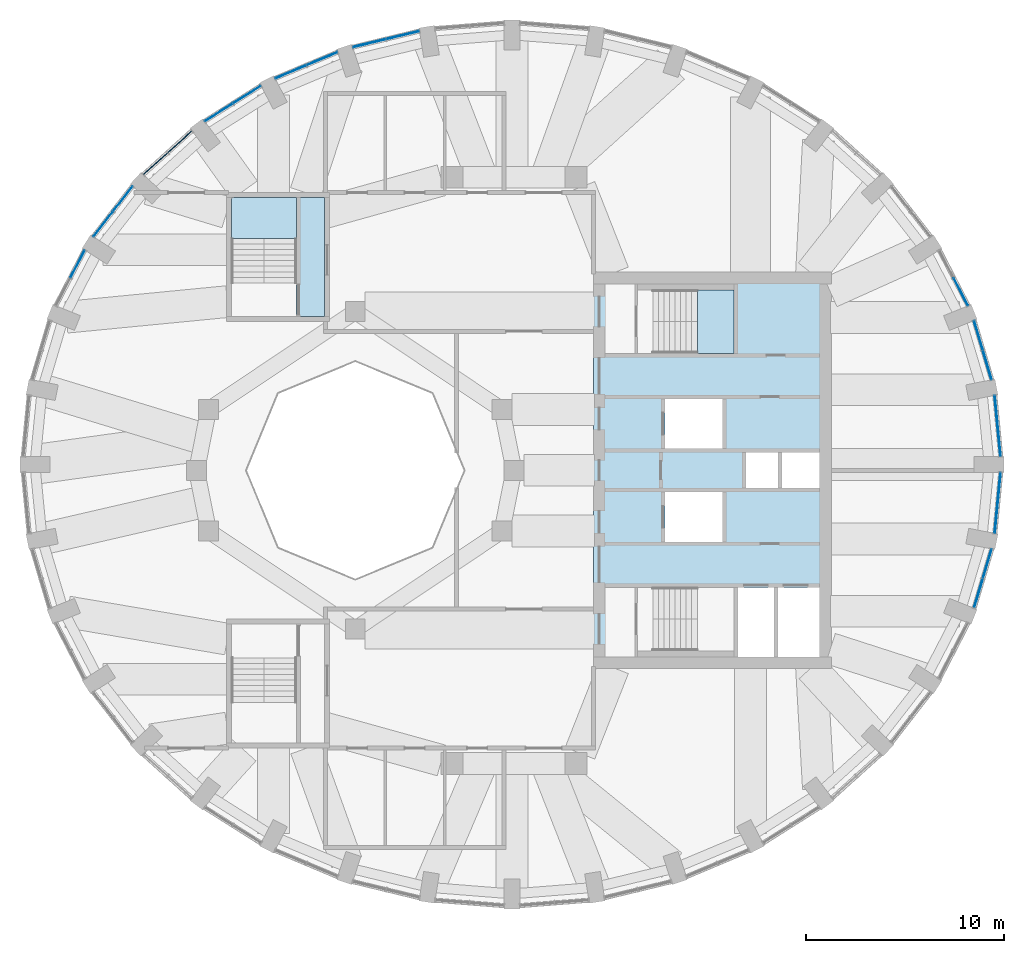
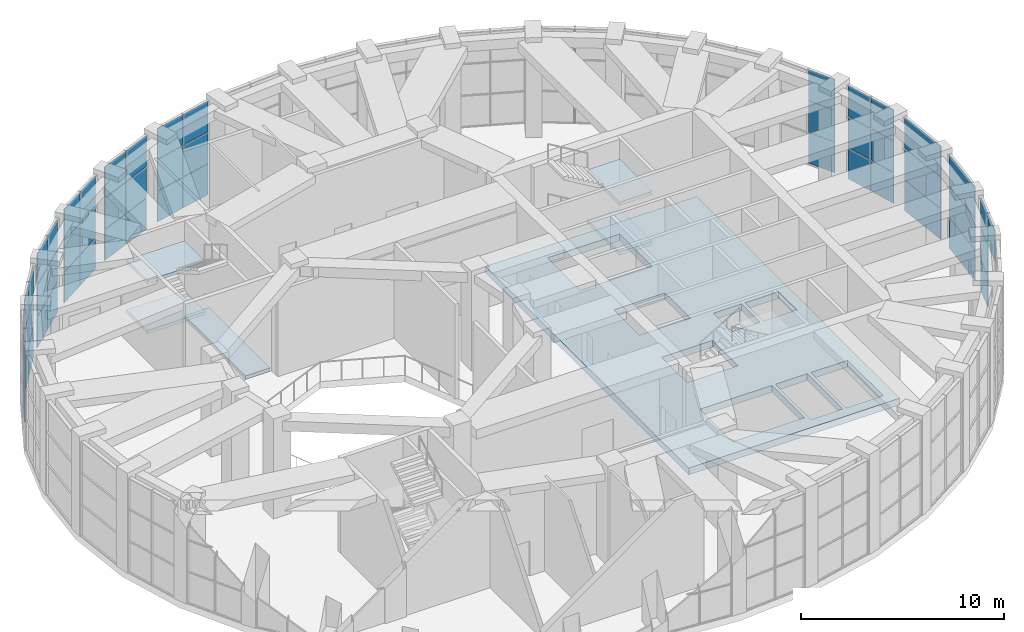
# One storey, part 14 of 20: 52 plates, 6 slabs, 13 elements without a shape of their own.
"""IFC4 building model written with IfcOpenShell, lengths in metres."""

from ifc_helpers import new_model, si_unit, direction, frame, origin, origin_2d, place, context, subcontext, project, spatial, polyline, rectangle, outline, extrude, material, layer, layer_set, type_object, element, aggregate, save


model = new_model("IFC4")

# Units and contexts
model_context = context("Model", 3, precision=1e-05, world=origin(), true_north=direction((0.0, 1.0)))
body_context = subcontext(model_context, "Body", "Model", "MODEL_VIEW")
ifc_project = project(units=[si_unit("LENGTHUNIT", "METRE"), si_unit("AREAUNIT", "SQUARE_METRE"), si_unit("VOLUMEUNIT", "CUBIC_METRE"), si_unit("PLANEANGLEUNIT", "RADIAN"), si_unit("MASSUNIT", "GRAM", prefix="KILO")], contexts=[model_context])

# Site, building, storey
site_placement = place(None, origin())
site = spatial("IfcSite", under=ifc_project, at=site_placement, CompositionType="ELEMENT")
building_placement = place(site_placement, origin())
building = spatial("IfcBuilding", under=site, at=building_placement, Name="Taillehof Tower", CompositionType="ELEMENT")
storey_placement = place(building_placement, frame((0.0, 0.0, 269.199951171875)))
storey = spatial("IfcBuildingStorey", under=building, at=storey_placement, Name="L76", CompositionType="ELEMENT", Elevation=269.199951171875)

# Slab
ifc_material_1 = material(Name="Concrete C40/50", Category="concrete")
ifc_layer_1 = layer(ifc_material_1, 0.409912109375)
ifc_layer_set_1 = layer_set([ifc_layer_1], Name="Core floor slab C40/50 410")
slab_type_1 = type_object("IfcSlabType", Name="Core floor slab C40/50 410", PredefinedType="FLOOR", material=ifc_layer_set_1)
slab_1_placement = place(storey_placement, frame((0.0, 0.0, -0.409912109375)))
element("IfcSlab", 1, at=slab_1_placement, inside=storey, type_object=slab_type_1, Name="Core floor L76", PredefinedType="FLOOR", context=body_context, shape_type="SweptSolid", body=[
    extrude(outline(polyline([(4.0, -10.0), (4.0, 10.0), (16.0, 10.0), (16.0, -10.0), (4.0, -10.0)]), holes=[polyline([(13.10009765625, -5.89990234375), (11.300048828125, -5.89990234375), (11.300048828125, -9.39990234375), (13.10009765625, -9.39990234375), (13.10009765625, -5.89990234375)]), polyline([(15.39990234375, -5.89990234375), (13.300048828125, -5.89990234375), (13.300048828125, -9.39990234375), (15.39990234375, -9.39990234375), (15.39990234375, -5.89990234375)]), polyline([(11.10009765625, -9.10009765625), (11.10009765625, -5.89990234375), (7.00048828125, -5.89990234375), (7.00048828125, -9.10009765625), (11.10009765625, -9.10009765625)]), polyline([(10.5, -1.10009765625), (7.60009765625, -1.10009765625), (7.60009765625, -3.60009765625), (10.5, -3.60009765625), (10.5, -1.10009765625)]), polyline([(13.300048828125, 0.89990234375), (11.699951171875, 0.89990234375), (11.699951171875, -0.89990234375), (13.300048828125, -0.89990234375), (13.300048828125, 0.89990234375)]), polyline([(15.39990234375, 0.89990234375), (13.5, 0.89990234375), (13.5, -0.89990234375), (15.39990234375, -0.89990234375), (15.39990234375, 0.89990234375)]), polyline([(10.5, 3.60009765625), (7.60009765625, 3.60009765625), (7.60009765625, 1.10009765625), (10.5, 1.10009765625), (10.5, 3.60009765625)]), polyline([(11.10009765625, 9.10009765625), (7.00048828125, 9.10009765625), (7.00048828125, 5.89990234375), (11.10009765625, 5.89990234375), (11.10009765625, 9.10009765625)])]), origin(), (0.0, 0.0, 1.0), 0.409912109375),
])

# Curtain wall, plates
ifc_material_2 = material(Name="Aluminium curtain wall with Clear toughened laminated glass", Category="aluminium")
curtain_wall_type = type_object("IfcCurtainWallType", Name="Observation deck curtain wall", PredefinedType="USERDEFINED", material=ifc_material_2)
curtain_wall_1_placement = place(storey_placement, origin())
curtain_wall_1 = element("IfcCurtainWall", 2, at=curtain_wall_1_placement, inside=storey, type_object=curtain_wall_type, Name="Observation deck L76 bay 1", ObjectType="WINDOW WALL", PredefinedType="USERDEFINED")
ifc_material_3 = material(Name="Clear toughened laminated glass", Category="glass")
ifc_layer_2 = layer(ifc_material_3, 0.0400390625)
ifc_layer_set_2 = layer_set([ifc_layer_2], Name="Observation deck glass panel 40")
plate_type = type_object("IfcPlateType", Name="Observation deck glass panel 40", PredefinedType="CURTAIN_PANEL", material=ifc_layer_set_2)
plate_1_placement = place(storey_placement, frame((24.380859375, 2.239013671875, 0.0400390625), z_axis=(0.0, 0.0, 1.0), x_axis=(-0.0967136211, 0.995312250248, 0.0)))
plate_1 = element("IfcPlate", 3, at=plate_1_placement, type_object=plate_type, Name="CT6E01 panel 1.1", PredefinedType="CURTAIN_PANEL", context=body_context, shape_type="SweptSolid", body=[
    extrude(rectangle(XDim=3.052734375, YDim=0.0400390625, at=origin_2d()), origin(), (0.0, 0.0, 1.0), 1.840087890625),
])
plate_2_placement = place(storey_placement, frame((24.380859375, 2.239013671875, 1.919921875), z_axis=(0.0, 0.0, 1.0), x_axis=(-0.0967136211, 0.995312250248, 0.0)))
plate_2 = element("IfcPlate", 4, at=plate_2_placement, type_object=plate_type, Name="CT6E01 panel 1.2", PredefinedType="CURTAIN_PANEL", context=body_context, shape_type="SweptSolid", body=[
    extrude(rectangle(XDim=3.052734375, YDim=0.0400390625, at=origin_2d()), origin(), (0.0, 0.0, 1.0), 1.860107421875),
])
plate_3_placement = place(storey_placement, frame((24.380859375, 2.239013671875, 3.81982421875), z_axis=(0.0, 0.0, 1.0), x_axis=(-0.0967136211, 0.995312250248, 0.0)))
plate_3 = element("IfcPlate", 5, at=plate_3_placement, type_object=plate_type, Name="CT6E01 panel 1.3", PredefinedType="CURTAIN_PANEL", context=body_context, shape_type="SweptSolid", body=[
    extrude(rectangle(XDim=3.052734375, YDim=0.0400390625, at=origin_2d()), origin(), (0.0, 0.0, 1.0), 1.840087890625),
])
aggregate(curtain_wall_1, [plate_1, plate_2, plate_3])

curtain_wall_2_placement = place(storey_placement, origin())
curtain_wall_2 = element("IfcCurtainWall", 6, at=curtain_wall_2_placement, inside=storey, type_object=curtain_wall_type, Name="Observation deck L76 bay 2", ObjectType="WINDOW WALL", PredefinedType="USERDEFINED")
plate_4_placement = place(storey_placement, frame((23.855712890625, 5.310302734375, 0.0400390625), z_axis=(0.0, 0.0, 1.0), x_axis=(-0.285235558707, 0.958457446134, 0.0)))
plate_4 = element("IfcPlate", 7, at=plate_4_placement, type_object=plate_type, Name="CT6E02 panel 1.1", PredefinedType="CURTAIN_PANEL", context=body_context, shape_type="SweptSolid", body=[
    extrude(rectangle(XDim=1.5185546875, YDim=0.0400390625, at=origin_2d()), origin(), (0.0, 0.0, 1.0), 1.840087890625),
])
plate_5_placement = place(storey_placement, frame((23.855712890625, 5.310302734375, 1.919921875), z_axis=(0.0, 0.0, 1.0), x_axis=(-0.285235558707, 0.958457446134, 0.0)))
plate_5 = element("IfcPlate", 8, at=plate_5_placement, type_object=plate_type, Name="CT6E02 panel 1.2", PredefinedType="CURTAIN_PANEL", context=body_context, shape_type="SweptSolid", body=[
    extrude(rectangle(XDim=1.5185546875, YDim=0.0400390625, at=origin_2d()), origin(), (0.0, 0.0, 1.0), 1.860107421875),
])
plate_6_placement = place(storey_placement, frame((23.855712890625, 5.310302734375, 3.81982421875), z_axis=(0.0, 0.0, 1.0), x_axis=(-0.285235558707, 0.958457446134, 0.0)))
plate_6 = element("IfcPlate", 9, at=plate_6_placement, type_object=plate_type, Name="CT6E02 panel 1.3", PredefinedType="CURTAIN_PANEL", context=body_context, shape_type="SweptSolid", body=[
    extrude(rectangle(XDim=1.5185546875, YDim=0.0400390625, at=origin_2d()), origin(), (0.0, 0.0, 1.0), 1.840087890625),
])
plate_7_placement = place(storey_placement, frame((23.4111328125, 6.80419921875, 0.0400390625), z_axis=(0.0, 0.0, 1.0), x_axis=(-0.285235558707, 0.958457446134, 0.0)))
plate_7 = element("IfcPlate", 10, at=plate_7_placement, type_object=plate_type, Name="CT6E02 panel 2.1", PredefinedType="CURTAIN_PANEL", context=body_context, shape_type="SweptSolid", body=[
    extrude(rectangle(XDim=1.5185546875, YDim=0.0400390625, at=origin_2d()), origin(), (0.0, 0.0, 1.0), 1.840087890625),
])
plate_8_placement = place(storey_placement, frame((23.4111328125, 6.80419921875, 1.919921875), z_axis=(0.0, 0.0, 1.0), x_axis=(-0.285235558707, 0.958457446134, 0.0)))
plate_8 = element("IfcPlate", 11, at=plate_8_placement, type_object=plate_type, Name="CT6E02 panel 2.2", PredefinedType="CURTAIN_PANEL", context=body_context, shape_type="SweptSolid", body=[
    extrude(rectangle(XDim=1.5185546875, YDim=0.0400390625, at=origin_2d()), origin(), (0.0, 0.0, 1.0), 1.860107421875),
])
plate_9_placement = place(storey_placement, frame((23.4111328125, 6.80419921875, 3.81982421875), z_axis=(0.0, 0.0, 1.0), x_axis=(-0.285235558707, 0.958457446134, 0.0)))
plate_9 = element("IfcPlate", 12, at=plate_9_placement, type_object=plate_type, Name="CT6E02 panel 2.3", PredefinedType="CURTAIN_PANEL", context=body_context, shape_type="SweptSolid", body=[
    extrude(rectangle(XDim=1.5185546875, YDim=0.0400390625, at=origin_2d()), origin(), (0.0, 0.0, 1.0), 1.840087890625),
])
aggregate(curtain_wall_2, [plate_4, plate_5, plate_6, plate_7, plate_8, plate_9])

curtain_wall_3_placement = place(storey_placement, origin())
curtain_wall_3 = element("IfcCurtainWall", 13, at=curtain_wall_3_placement, inside=storey, type_object=curtain_wall_type, Name="Observation deck L76 bay 3", ObjectType="WINDOW WALL", PredefinedType="USERDEFINED")
plate_10_placement = place(storey_placement, frame((22.525634765625, 8.995361328125, 0.0400390625), z_axis=(0.0, 0.0, 1.0), x_axis=(-0.459891218474, 0.887975262702, 0.0)))
plate_10 = element("IfcPlate", 14, at=plate_10_placement, type_object=plate_type, Name="CT6E03 panel 1.1", PredefinedType="CURTAIN_PANEL", context=body_context, shape_type="SweptSolid", body=[
    extrude(rectangle(XDim=1.541748046875, YDim=0.0400390625, at=origin_2d()), origin(), (0.0, 0.0, 1.0), 1.840087890625),
])
plate_11_placement = place(storey_placement, frame((22.525634765625, 8.995361328125, 1.919921875), z_axis=(0.0, 0.0, 1.0), x_axis=(-0.459891218474, 0.887975262702, 0.0)))
plate_11 = element("IfcPlate", 15, at=plate_11_placement, type_object=plate_type, Name="CT6E03 panel 1.2", PredefinedType="CURTAIN_PANEL", context=body_context, shape_type="SweptSolid", body=[
    extrude(rectangle(XDim=1.541748046875, YDim=0.0400390625, at=origin_2d()), origin(), (0.0, 0.0, 1.0), 1.860107421875),
])
plate_12_placement = place(storey_placement, frame((22.525634765625, 8.995361328125, 3.81982421875), z_axis=(0.0, 0.0, 1.0), x_axis=(-0.459891218474, 0.887975262702, 0.0)))
plate_12 = element("IfcPlate", 16, at=plate_12_placement, type_object=plate_type, Name="CT6E03 panel 1.3", PredefinedType="CURTAIN_PANEL", context=body_context, shape_type="SweptSolid", body=[
    extrude(rectangle(XDim=1.541748046875, YDim=0.0400390625, at=origin_2d()), origin(), (0.0, 0.0, 1.0), 1.840087890625),
])
aggregate(curtain_wall_3, [plate_10, plate_11, plate_12])

curtain_wall_4_placement = place(storey_placement, origin())
curtain_wall_4 = element("IfcCurtainWall", 17, at=curtain_wall_4_placement, inside=storey, type_object=curtain_wall_type, Name="Observation deck L76 bay 11", ObjectType="WINDOW WALL", PredefinedType="USERDEFINED")
plate_13_placement = place(storey_placement, frame((-5.60498046875, 21.93603515625, 0.0400390625), z_axis=(0.0, 0.0, 1.0), x_axis=(-0.972112616855, -0.234514520129, 0.0)))
plate_13 = element("IfcPlate", 18, at=plate_13_placement, type_object=plate_type, Name="CT6E11 panel 1.1", PredefinedType="CURTAIN_PANEL", context=body_context, shape_type="SweptSolid", body=[
    extrude(rectangle(XDim=1.69091796875, YDim=0.0400390625, at=origin_2d()), origin(), (0.0, 0.0, 1.0), 1.840087890625),
])
plate_14_placement = place(storey_placement, frame((-5.60498046875, 21.93603515625, 1.919921875), z_axis=(0.0, 0.0, 1.0), x_axis=(-0.972112616855, -0.234514520129, 0.0)))
plate_14 = element("IfcPlate", 19, at=plate_14_placement, type_object=plate_type, Name="CT6E11 panel 1.2", PredefinedType="CURTAIN_PANEL", context=body_context, shape_type="SweptSolid", body=[
    extrude(rectangle(XDim=1.69091796875, YDim=0.0400390625, at=origin_2d()), origin(), (0.0, 0.0, 1.0), 1.860107421875),
])
plate_15_placement = place(storey_placement, frame((-5.60498046875, 21.93603515625, 3.81982421875), z_axis=(0.0, 0.0, 1.0), x_axis=(-0.972112616855, -0.234514520129, 0.0)))
plate_15 = element("IfcPlate", 20, at=plate_15_placement, type_object=plate_type, Name="CT6E11 panel 1.3", PredefinedType="CURTAIN_PANEL", context=body_context, shape_type="SweptSolid", body=[
    extrude(rectangle(XDim=1.69091796875, YDim=0.0400390625, at=origin_2d()), origin(), (0.0, 0.0, 1.0), 1.840087890625),
])
plate_16_placement = place(storey_placement, frame((-7.28759765625, 21.530029296875, 0.0400390625), z_axis=(0.0, 0.0, 1.0), x_axis=(-0.972112616855, -0.234514520129, 0.0)))
plate_16 = element("IfcPlate", 21, at=plate_16_placement, type_object=plate_type, Name="CT6E11 panel 2.1", PredefinedType="CURTAIN_PANEL", context=body_context, shape_type="SweptSolid", body=[
    extrude(rectangle(XDim=1.69091796875, YDim=0.0400390625, at=origin_2d()), origin(), (0.0, 0.0, 1.0), 1.840087890625),
])
plate_17_placement = place(storey_placement, frame((-7.28759765625, 21.530029296875, 1.919921875), z_axis=(0.0, 0.0, 1.0), x_axis=(-0.972112616855, -0.234514520129, 0.0)))
plate_17 = element("IfcPlate", 22, at=plate_17_placement, type_object=plate_type, Name="CT6E11 panel 2.2", PredefinedType="CURTAIN_PANEL", context=body_context, shape_type="SweptSolid", body=[
    extrude(rectangle(XDim=1.69091796875, YDim=0.0400390625, at=origin_2d()), origin(), (0.0, 0.0, 1.0), 1.860107421875),
])
plate_18_placement = place(storey_placement, frame((-7.28759765625, 21.530029296875, 3.81982421875), z_axis=(0.0, 0.0, 1.0), x_axis=(-0.972112616855, -0.234514520129, 0.0)))
plate_18 = element("IfcPlate", 23, at=plate_18_placement, type_object=plate_type, Name="CT6E11 panel 2.3", PredefinedType="CURTAIN_PANEL", context=body_context, shape_type="SweptSolid", body=[
    extrude(rectangle(XDim=1.69091796875, YDim=0.0400390625, at=origin_2d()), origin(), (0.0, 0.0, 1.0), 1.840087890625),
])
aggregate(curtain_wall_4, [plate_13, plate_14, plate_15, plate_16, plate_17, plate_18])

curtain_wall_5_placement = place(storey_placement, origin())
curtain_wall_5 = element("IfcCurtainWall", 24, at=curtain_wall_5_placement, inside=storey, type_object=curtain_wall_type, Name="Observation deck L76 bay 12", ObjectType="WINDOW WALL", PredefinedType="USERDEFINED")
plate_19_placement = place(storey_placement, frame((-9.67724609375, 20.746826171875, 0.0400390625), z_axis=(0.0, 0.0, 1.0), x_axis=(-0.922037438233, -0.387100713636, 0.0)))
plate_19 = element("IfcPlate", 25, at=plate_19_placement, type_object=plate_type, Name="CT6E12 panel 1.1", PredefinedType="CURTAIN_PANEL", context=body_context, shape_type="SweptSolid", body=[
    extrude(rectangle(XDim=1.66943359375, YDim=0.0400390625, at=origin_2d()), origin(), (0.0, 0.0, 1.0), 1.840087890625),
])
plate_20_placement = place(storey_placement, frame((-9.67724609375, 20.746826171875, 1.919921875), z_axis=(0.0, 0.0, 1.0), x_axis=(-0.922037438233, -0.387100713636, 0.0)))
plate_20 = element("IfcPlate", 26, at=plate_20_placement, type_object=plate_type, Name="CT6E12 panel 1.2", PredefinedType="CURTAIN_PANEL", context=body_context, shape_type="SweptSolid", body=[
    extrude(rectangle(XDim=1.66943359375, YDim=0.0400390625, at=origin_2d()), origin(), (0.0, 0.0, 1.0), 1.860107421875),
])
plate_21_placement = place(storey_placement, frame((-9.67724609375, 20.746826171875, 3.81982421875), z_axis=(0.0, 0.0, 1.0), x_axis=(-0.922037438233, -0.387100713636, 0.0)))
plate_21 = element("IfcPlate", 27, at=plate_21_placement, type_object=plate_type, Name="CT6E12 panel 1.3", PredefinedType="CURTAIN_PANEL", context=body_context, shape_type="SweptSolid", body=[
    extrude(rectangle(XDim=1.66943359375, YDim=0.0400390625, at=origin_2d()), origin(), (0.0, 0.0, 1.0), 1.840087890625),
])
plate_22_placement = place(storey_placement, frame((-11.25341796875, 20.0849609375, 0.0400390625), z_axis=(0.0, 0.0, 1.0), x_axis=(-0.922037438233, -0.387100713636, 0.0)))
plate_22 = element("IfcPlate", 28, at=plate_22_placement, type_object=plate_type, Name="CT6E12 panel 2.1", PredefinedType="CURTAIN_PANEL", context=body_context, shape_type="SweptSolid", body=[
    extrude(rectangle(XDim=1.66943359375, YDim=0.0400390625, at=origin_2d()), origin(), (0.0, 0.0, 1.0), 1.840087890625),
])
plate_23_placement = place(storey_placement, frame((-11.25341796875, 20.0849609375, 1.919921875), z_axis=(0.0, 0.0, 1.0), x_axis=(-0.922037438233, -0.387100713636, 0.0)))
plate_23 = element("IfcPlate", 29, at=plate_23_placement, type_object=plate_type, Name="CT6E12 panel 2.2", PredefinedType="CURTAIN_PANEL", context=body_context, shape_type="SweptSolid", body=[
    extrude(rectangle(XDim=1.66943359375, YDim=0.0400390625, at=origin_2d()), origin(), (0.0, 0.0, 1.0), 1.860107421875),
])
plate_24_placement = place(storey_placement, frame((-11.25341796875, 20.0849609375, 3.81982421875), z_axis=(0.0, 0.0, 1.0), x_axis=(-0.922037438233, -0.387100713636, 0.0)))
plate_24 = element("IfcPlate", 30, at=plate_24_placement, type_object=plate_type, Name="CT6E12 panel 2.3", PredefinedType="CURTAIN_PANEL", context=body_context, shape_type="SweptSolid", body=[
    extrude(rectangle(XDim=1.66943359375, YDim=0.0400390625, at=origin_2d()), origin(), (0.0, 0.0, 1.0), 1.840087890625),
])
aggregate(curtain_wall_5, [plate_19, plate_20, plate_21, plate_22, plate_23, plate_24])

curtain_wall_6_placement = place(storey_placement, origin())
curtain_wall_6 = element("IfcCurtainWall", 31, at=curtain_wall_6_placement, inside=storey, type_object=curtain_wall_type, Name="Observation deck L76 bay 13", ObjectType="WINDOW WALL", PredefinedType="USERDEFINED")
plate_25_placement = place(storey_placement, frame((-13.461669921875, 18.936767578125, 0.0400390625), z_axis=(0.0, 0.0, 1.0), x_axis=(-0.845929695916, -0.533294430468, 0.0)))
plate_25 = element("IfcPlate", 32, at=plate_25_placement, type_object=plate_type, Name="CT6E13 panel 1.1", PredefinedType="CURTAIN_PANEL", context=body_context, shape_type="SweptSolid", body=[
    extrude(rectangle(XDim=1.64013671875, YDim=0.0400390625, at=origin_2d()), origin(), (0.0, 0.0, 1.0), 1.840087890625),
])
plate_26_placement = place(storey_placement, frame((-13.461669921875, 18.936767578125, 1.919921875), z_axis=(0.0, 0.0, 1.0), x_axis=(-0.845929695916, -0.533294430468, 0.0)))
plate_26 = element("IfcPlate", 33, at=plate_26_placement, type_object=plate_type, Name="CT6E13 panel 1.2", PredefinedType="CURTAIN_PANEL", context=body_context, shape_type="SweptSolid", body=[
    extrude(rectangle(XDim=1.64013671875, YDim=0.0400390625, at=origin_2d()), origin(), (0.0, 0.0, 1.0), 1.860107421875),
])
plate_27_placement = place(storey_placement, frame((-13.461669921875, 18.936767578125, 3.81982421875), z_axis=(0.0, 0.0, 1.0), x_axis=(-0.845929695916, -0.533294430468, 0.0)))
plate_27 = element("IfcPlate", 34, at=plate_27_placement, type_object=plate_type, Name="CT6E13 panel 1.3", PredefinedType="CURTAIN_PANEL", context=body_context, shape_type="SweptSolid", body=[
    extrude(rectangle(XDim=1.64013671875, YDim=0.0400390625, at=origin_2d()), origin(), (0.0, 0.0, 1.0), 1.840087890625),
])
plate_28_placement = place(storey_placement, frame((-14.883056640625, 18.040771484375, 0.0400390625), z_axis=(0.0, 0.0, 1.0), x_axis=(-0.845929695916, -0.533294430468, 0.0)))
plate_28 = element("IfcPlate", 35, at=plate_28_placement, type_object=plate_type, Name="CT6E13 panel 2.1", PredefinedType="CURTAIN_PANEL", context=body_context, shape_type="SweptSolid", body=[
    extrude(rectangle(XDim=1.64013671875, YDim=0.0400390625, at=origin_2d()), origin(), (0.0, 0.0, 1.0), 1.840087890625),
])
plate_29_placement = place(storey_placement, frame((-14.883056640625, 18.040771484375, 1.919921875), z_axis=(0.0, 0.0, 1.0), x_axis=(-0.845929695916, -0.533294430468, 0.0)))
plate_29 = element("IfcPlate", 36, at=plate_29_placement, type_object=plate_type, Name="CT6E13 panel 2.2", PredefinedType="CURTAIN_PANEL", context=body_context, shape_type="SweptSolid", body=[
    extrude(rectangle(XDim=1.64013671875, YDim=0.0400390625, at=origin_2d()), origin(), (0.0, 0.0, 1.0), 1.860107421875),
])
plate_30_placement = place(storey_placement, frame((-14.883056640625, 18.040771484375, 3.81982421875), z_axis=(0.0, 0.0, 1.0), x_axis=(-0.845929695916, -0.533294430468, 0.0)))
plate_30 = element("IfcPlate", 37, at=plate_30_placement, type_object=plate_type, Name="CT6E13 panel 2.3", PredefinedType="CURTAIN_PANEL", context=body_context, shape_type="SweptSolid", body=[
    extrude(rectangle(XDim=1.64013671875, YDim=0.0400390625, at=origin_2d()), origin(), (0.0, 0.0, 1.0), 1.840087890625),
])
aggregate(curtain_wall_6, [plate_25, plate_26, plate_27, plate_28, plate_29, plate_30])

curtain_wall_7_placement = place(storey_placement, origin())
curtain_wall_7 = element("IfcCurtainWall", 38, at=curtain_wall_7_placement, inside=storey, type_object=curtain_wall_type, Name="Observation deck L76 bay 14", ObjectType="WINDOW WALL", PredefinedType="USERDEFINED")
plate_31_placement = place(storey_placement, frame((-16.84326171875, 16.55908203125, 0.0400390625), z_axis=(0.0, 0.0, 1.0), x_axis=(-0.74316593792, -0.669107157872, 0.0)))
plate_31 = element("IfcPlate", 39, at=plate_31_placement, type_object=plate_type, Name="CT6E14 panel 1.1", PredefinedType="CURTAIN_PANEL", context=body_context, shape_type="SweptSolid", body=[
    extrude(rectangle(XDim=1.6064453125, YDim=0.0400390625, at=origin_2d()), origin(), (0.0, 0.0, 1.0), 1.840087890625),
])
plate_32_placement = place(storey_placement, frame((-16.84326171875, 16.55908203125, 1.919921875), z_axis=(0.0, 0.0, 1.0), x_axis=(-0.74316593792, -0.669107157872, 0.0)))
plate_32 = element("IfcPlate", 40, at=plate_32_placement, type_object=plate_type, Name="CT6E14 panel 1.2", PredefinedType="CURTAIN_PANEL", context=body_context, shape_type="SweptSolid", body=[
    extrude(rectangle(XDim=1.6064453125, YDim=0.0400390625, at=origin_2d()), origin(), (0.0, 0.0, 1.0), 1.860107421875),
])
plate_33_placement = place(storey_placement, frame((-16.84326171875, 16.55908203125, 3.81982421875), z_axis=(0.0, 0.0, 1.0), x_axis=(-0.74316593792, -0.669107157872, 0.0)))
plate_33 = element("IfcPlate", 41, at=plate_33_placement, type_object=plate_type, Name="CT6E14 panel 1.3", PredefinedType="CURTAIN_PANEL", context=body_context, shape_type="SweptSolid", body=[
    extrude(rectangle(XDim=1.6064453125, YDim=0.0400390625, at=origin_2d()), origin(), (0.0, 0.0, 1.0), 1.840087890625),
])
plate_34_placement = place(storey_placement, frame((-18.06689453125, 15.45751953125, 0.0400390625), z_axis=(0.0, 0.0, 1.0), x_axis=(-0.74316593792, -0.669107157872, 0.0)))
plate_34 = element("IfcPlate", 42, at=plate_34_placement, type_object=plate_type, Name="CT6E14 panel 2.1", PredefinedType="CURTAIN_PANEL", context=body_context, shape_type="SweptSolid", body=[
    extrude(rectangle(XDim=1.6064453125, YDim=0.0400390625, at=origin_2d()), origin(), (0.0, 0.0, 1.0), 1.840087890625),
])
plate_35_placement = place(storey_placement, frame((-18.06689453125, 15.45751953125, 1.919921875), z_axis=(0.0, 0.0, 1.0), x_axis=(-0.74316593792, -0.669107157872, 0.0)))
plate_35 = element("IfcPlate", 43, at=plate_35_placement, type_object=plate_type, Name="CT6E14 panel 2.2", PredefinedType="CURTAIN_PANEL", context=body_context, shape_type="SweptSolid", body=[
    extrude(rectangle(XDim=1.6064453125, YDim=0.0400390625, at=origin_2d()), origin(), (0.0, 0.0, 1.0), 1.860107421875),
])
plate_36_placement = place(storey_placement, frame((-18.06689453125, 15.45751953125, 3.81982421875), z_axis=(0.0, 0.0, 1.0), x_axis=(-0.74316593792, -0.669107157872, 0.0)))
plate_36 = element("IfcPlate", 44, at=plate_36_placement, type_object=plate_type, Name="CT6E14 panel 2.3", PredefinedType="CURTAIN_PANEL", context=body_context, shape_type="SweptSolid", body=[
    extrude(rectangle(XDim=1.6064453125, YDim=0.0400390625, at=origin_2d()), origin(), (0.0, 0.0, 1.0), 1.840087890625),
])
aggregate(curtain_wall_7, [plate_31, plate_32, plate_33, plate_34, plate_35, plate_36])

curtain_wall_8_placement = place(storey_placement, origin())
curtain_wall_8 = element("IfcCurtainWall", 45, at=curtain_wall_8_placement, inside=storey, type_object=curtain_wall_type, Name="Observation deck L76 bay 15", ObjectType="WINDOW WALL", PredefinedType="USERDEFINED")
plate_37_placement = place(storey_placement, frame((-19.718505859375, 13.684814453125, 0.0400390625), z_axis=(0.0, 0.0, 1.0), x_axis=(-0.613902818005, -0.789381612432, 0.0)))
plate_37 = element("IfcPlate", 46, at=plate_37_placement, type_object=plate_type, Name="CT6E15 panel 1.1", PredefinedType="CURTAIN_PANEL", context=body_context, shape_type="SweptSolid", body=[
    extrude(rectangle(XDim=1.572265625, YDim=0.0400390625, at=origin_2d()), origin(), (0.0, 0.0, 1.0), 1.840087890625),
])
plate_38_placement = place(storey_placement, frame((-19.718505859375, 13.684814453125, 1.919921875), z_axis=(0.0, 0.0, 1.0), x_axis=(-0.613902818005, -0.789381612432, 0.0)))
plate_38 = element("IfcPlate", 47, at=plate_38_placement, type_object=plate_type, Name="CT6E15 panel 1.2", PredefinedType="CURTAIN_PANEL", context=body_context, shape_type="SweptSolid", body=[
    extrude(rectangle(XDim=1.572265625, YDim=0.0400390625, at=origin_2d()), origin(), (0.0, 0.0, 1.0), 1.860107421875),
])
plate_39_placement = place(storey_placement, frame((-19.718505859375, 13.684814453125, 3.81982421875), z_axis=(0.0, 0.0, 1.0), x_axis=(-0.613902818005, -0.789381612432, 0.0)))
plate_39 = element("IfcPlate", 48, at=plate_39_placement, type_object=plate_type, Name="CT6E15 panel 1.3", PredefinedType="CURTAIN_PANEL", context=body_context, shape_type="SweptSolid", body=[
    extrude(rectangle(XDim=1.572265625, YDim=0.0400390625, at=origin_2d()), origin(), (0.0, 0.0, 1.0), 1.840087890625),
])
plate_40_placement = place(storey_placement, frame((-20.708251953125, 12.412109375, 0.0400390625), z_axis=(0.0, 0.0, 1.0), x_axis=(-0.613902818005, -0.789381612432, 0.0)))
plate_40 = element("IfcPlate", 49, at=plate_40_placement, type_object=plate_type, Name="CT6E15 panel 2.1", PredefinedType="CURTAIN_PANEL", context=body_context, shape_type="SweptSolid", body=[
    extrude(rectangle(XDim=1.572265625, YDim=0.0400390625, at=origin_2d()), origin(), (0.0, 0.0, 1.0), 1.840087890625),
])
plate_41_placement = place(storey_placement, frame((-20.708251953125, 12.412109375, 1.919921875), z_axis=(0.0, 0.0, 1.0), x_axis=(-0.613902818005, -0.789381612432, 0.0)))
plate_41 = element("IfcPlate", 50, at=plate_41_placement, type_object=plate_type, Name="CT6E15 panel 2.2", PredefinedType="CURTAIN_PANEL", context=body_context, shape_type="SweptSolid", body=[
    extrude(rectangle(XDim=1.572265625, YDim=0.0400390625, at=origin_2d()), origin(), (0.0, 0.0, 1.0), 1.860107421875),
])
plate_42_placement = place(storey_placement, frame((-20.708251953125, 12.412109375, 3.81982421875), z_axis=(0.0, 0.0, 1.0), x_axis=(-0.613902818005, -0.789381612432, 0.0)))
plate_42 = element("IfcPlate", 51, at=plate_42_placement, type_object=plate_type, Name="CT6E15 panel 2.3", PredefinedType="CURTAIN_PANEL", context=body_context, shape_type="SweptSolid", body=[
    extrude(rectangle(XDim=1.572265625, YDim=0.0400390625, at=origin_2d()), origin(), (0.0, 0.0, 1.0), 1.840087890625),
])
aggregate(curtain_wall_8, [plate_37, plate_38, plate_39, plate_40, plate_41, plate_42])

curtain_wall_9_placement = place(storey_placement, origin())
curtain_wall_9 = element("IfcCurtainWall", 52, at=curtain_wall_9_placement, inside=storey, type_object=curtain_wall_type, Name="Observation deck L76 bay 16", ObjectType="WINDOW WALL", PredefinedType="USERDEFINED")
plate_43_placement = place(storey_placement, frame((-21.998291015625, 10.399658203125, 0.0400390625), z_axis=(0.0, 0.0, 1.0), x_axis=(-0.459891218474, -0.887975262702, 0.0)))
plate_43 = element("IfcPlate", 53, at=plate_43_placement, type_object=plate_type, Name="CT6E16 panel 1.1", PredefinedType="CURTAIN_PANEL", context=body_context, shape_type="SweptSolid", body=[
    extrude(rectangle(XDim=1.541748046875, YDim=0.0400390625, at=origin_2d()), origin(), (0.0, 0.0, 1.0), 1.840087890625),
])
plate_44_placement = place(storey_placement, frame((-21.998291015625, 10.399658203125, 1.919921875), z_axis=(0.0, 0.0, 1.0), x_axis=(-0.459891218474, -0.887975262702, 0.0)))
plate_44 = element("IfcPlate", 54, at=plate_44_placement, type_object=plate_type, Name="CT6E16 panel 1.2", PredefinedType="CURTAIN_PANEL", context=body_context, shape_type="SweptSolid", body=[
    extrude(rectangle(XDim=1.541748046875, YDim=0.0400390625, at=origin_2d()), origin(), (0.0, 0.0, 1.0), 1.860107421875),
])
plate_45_placement = place(storey_placement, frame((-21.998291015625, 10.399658203125, 3.81982421875), z_axis=(0.0, 0.0, 1.0), x_axis=(-0.459891218474, -0.887975262702, 0.0)))
plate_45 = element("IfcPlate", 55, at=plate_45_placement, type_object=plate_type, Name="CT6E16 panel 1.3", PredefinedType="CURTAIN_PANEL", context=body_context, shape_type="SweptSolid", body=[
    extrude(rectangle(XDim=1.541748046875, YDim=0.0400390625, at=origin_2d()), origin(), (0.0, 0.0, 1.0), 1.840087890625),
])
aggregate(curtain_wall_9, [plate_43, plate_44, plate_45])

curtain_wall_10_placement = place(storey_placement, origin())
curtain_wall_10 = element("IfcCurtainWall", 56, at=curtain_wall_10_placement, inside=storey, type_object=curtain_wall_type, Name="Observation deck L76 bay 35", ObjectType="WINDOW WALL", PredefinedType="USERDEFINED")
plate_46_placement = place(storey_placement, frame((23.4111328125, -6.2041015625, 3.81982421875), z_axis=(0.0, 0.0, 1.0), x_axis=(0.285235558707, 0.958457446134, 0.0)))
plate_46 = element("IfcPlate", 57, at=plate_46_placement, type_object=plate_type, Name="CT6E35 panel 1.3", PredefinedType="CURTAIN_PANEL", context=body_context, shape_type="SweptSolid", body=[
    extrude(rectangle(XDim=1.5185546875, YDim=0.0400390625, at=origin_2d()), origin(), (0.0, 0.0, 1.0), 1.840087890625),
])
plate_47_placement = place(storey_placement, frame((23.855712890625, -4.710205078125, 0.0400390625), z_axis=(0.0, 0.0, 1.0), x_axis=(0.285235558707, 0.958457446134, 0.0)))
plate_47 = element("IfcPlate", 58, at=plate_47_placement, type_object=plate_type, Name="CT6E35 panel 2.1", PredefinedType="CURTAIN_PANEL", context=body_context, shape_type="SweptSolid", body=[
    extrude(rectangle(XDim=1.5185546875, YDim=0.0400390625, at=origin_2d()), origin(), (0.0, 0.0, 1.0), 1.840087890625),
])
plate_48_placement = place(storey_placement, frame((23.855712890625, -4.710205078125, 1.919921875), z_axis=(0.0, 0.0, 1.0), x_axis=(0.285235558707, 0.958457446134, 0.0)))
plate_48 = element("IfcPlate", 59, at=plate_48_placement, type_object=plate_type, Name="CT6E35 panel 2.2", PredefinedType="CURTAIN_PANEL", context=body_context, shape_type="SweptSolid", body=[
    extrude(rectangle(XDim=1.5185546875, YDim=0.0400390625, at=origin_2d()), origin(), (0.0, 0.0, 1.0), 1.860107421875),
])
plate_49_placement = place(storey_placement, frame((23.855712890625, -4.710205078125, 3.81982421875), z_axis=(0.0, 0.0, 1.0), x_axis=(0.285235558707, 0.958457446134, 0.0)))
plate_49 = element("IfcPlate", 60, at=plate_49_placement, type_object=plate_type, Name="CT6E35 panel 2.3", PredefinedType="CURTAIN_PANEL", context=body_context, shape_type="SweptSolid", body=[
    extrude(rectangle(XDim=1.5185546875, YDim=0.0400390625, at=origin_2d()), origin(), (0.0, 0.0, 1.0), 1.840087890625),
])
aggregate(curtain_wall_10, [plate_46, plate_47, plate_48, plate_49])

curtain_wall_11_placement = place(storey_placement, origin())
curtain_wall_11 = element("IfcCurtainWall", 61, at=curtain_wall_11_placement, inside=storey, type_object=curtain_wall_type, Name="Observation deck L76 bay 36", ObjectType="WINDOW WALL", PredefinedType="USERDEFINED")
plate_50_placement = place(storey_placement, frame((24.380859375, -1.63916015625, 0.0400390625), z_axis=(0.0, 0.0, 1.0), x_axis=(0.0967136211, 0.995312250248, 0.0)))
plate_50 = element("IfcPlate", 62, at=plate_50_placement, type_object=plate_type, Name="CT6E36 panel 1.1", PredefinedType="CURTAIN_PANEL", context=body_context, shape_type="SweptSolid", body=[
    extrude(rectangle(XDim=3.052734375, YDim=0.0400390625, at=origin_2d()), origin(), (0.0, 0.0, 1.0), 1.840087890625),
])
plate_51_placement = place(storey_placement, frame((24.380859375, -1.63916015625, 1.919921875), z_axis=(0.0, 0.0, 1.0), x_axis=(0.0967136211, 0.995312250248, 0.0)))
plate_51 = element("IfcPlate", 63, at=plate_51_placement, type_object=plate_type, Name="CT6E36 panel 1.2", PredefinedType="CURTAIN_PANEL", context=body_context, shape_type="SweptSolid", body=[
    extrude(rectangle(XDim=3.052734375, YDim=0.0400390625, at=origin_2d()), origin(), (0.0, 0.0, 1.0), 1.860107421875),
])
plate_52_placement = place(storey_placement, frame((24.380859375, -1.63916015625, 3.81982421875), z_axis=(0.0, 0.0, 1.0), x_axis=(0.0967136211, 0.995312250248, 0.0)))
plate_52 = element("IfcPlate", 64, at=plate_52_placement, type_object=plate_type, Name="CT6E36 panel 1.3", PredefinedType="CURTAIN_PANEL", context=body_context, shape_type="SweptSolid", body=[
    extrude(rectangle(XDim=3.052734375, YDim=0.0400390625, at=origin_2d()), origin(), (0.0, 0.0, 1.0), 1.840087890625),
])
aggregate(curtain_wall_11, [plate_50, plate_51, plate_52])

# Stair, slabs
ifc_material_4 = material(Name="Concrete C40/50", Category="concrete")
stair_type = type_object("IfcStairType", Name="Exit stair half-turn", PredefinedType="HALF_TURN_STAIR", material=ifc_material_4)
stair_1_placement = place(storey_placement, origin())
stair_1 = element("IfcStair", 65, at=stair_1_placement, inside=storey, type_object=stair_type, Name="Exit stair S1", PredefinedType="HALF_TURN_STAIR")
ifc_material_5 = material(Name="Concrete C40/50", Category="concrete")
ifc_layer_3 = layer(ifc_material_5, 0.2099609375)
ifc_layer_set_3 = layer_set([ifc_layer_3], Name="Stair landing C40/50 210")
slab_type_2 = type_object("IfcSlabType", Name="Stair landing C40/50 210", PredefinedType="LANDING", material=ifc_layer_set_3)
slab_2_placement = place(storey_placement, frame((0.0, 0.0, 1.2900390625)))
slab_2 = element("IfcSlab", 66, at=slab_2_placement, type_object=slab_type_2, Name="S1 landing 1", PredefinedType="LANDING", context=body_context, shape_type="SweptSolid", body=[
    extrude(outline(polyline([(9.239990234375, 5.89990234375), (11.10009765625, 5.89990234375), (11.10009765625, 9.10009765625), (9.239990234375, 9.10009765625), (9.239990234375, 5.89990234375)])), origin(), (0.0, 0.0, 1.0), 0.2099609375),
])
slab_3_placement = place(storey_placement, frame((0.0, 0.0, 4.2900390625)))
slab_3 = element("IfcSlab", 67, at=slab_3_placement, type_object=slab_type_2, Name="S1 landing 3", PredefinedType="LANDING", context=body_context, shape_type="SweptSolid", body=[
    extrude(outline(polyline([(9.239990234375, 5.89990234375), (11.10009765625, 5.89990234375), (11.10009765625, 9.10009765625), (9.239990234375, 9.10009765625), (9.239990234375, 5.89990234375)])), origin(), (0.0, 0.0, 1.0), 0.2099609375),
])
aggregate(stair_1, [slab_2, slab_3])

stair_2_placement = place(storey_placement, origin())
stair_2 = element("IfcStair", 68, at=stair_2_placement, inside=storey, type_object=stair_type, Name="Exit stair S3", PredefinedType="HALF_TURN_STAIR")
slab_4_placement = place(storey_placement, frame((0.0, 0.0, 1.2900390625)))
slab_4 = element("IfcSlab", 69, at=slab_4_placement, type_object=slab_type_2, Name="S3 landing 1", PredefinedType="LANDING", context=body_context, shape_type="SweptSolid", body=[
    extrude(outline(polyline([(-14.25, 11.68994140625), (-14.25, 13.75), (-10.949951171875, 13.75), (-10.949951171875, 11.68994140625), (-14.25, 11.68994140625)])), origin(), (0.0, 0.0, 1.0), 0.2099609375),
])
slab_5_placement = place(storey_placement, frame((0.0, 0.0, 4.2900390625)))
slab_5 = element("IfcSlab", 70, at=slab_5_placement, type_object=slab_type_2, Name="S3 landing 3", PredefinedType="LANDING", context=body_context, shape_type="SweptSolid", body=[
    extrude(outline(polyline([(-14.25, 11.68994140625), (-14.25, 13.75), (-10.949951171875, 13.75), (-10.949951171875, 11.68994140625), (-14.25, 11.68994140625)])), origin(), (0.0, 0.0, 1.0), 0.2099609375),
])
aggregate(stair_2, [slab_4, slab_5])

# Slab
slab_6_placement = place(storey_placement, frame((0.0, 0.0, -0.2099609375)))
element("IfcSlab", 71, at=slab_6_placement, inside=storey, type_object=slab_type_2, Name="Stair lobby S3 floor", PredefinedType="LANDING", context=body_context, shape_type="SweptSolid", body=[
    extrude(outline(polyline([(-10.949951171875, 7.75), (-9.550048828125, 7.75), (-9.550048828125, 13.75), (-10.949951171875, 13.75), (-10.949951171875, 7.75)])), origin(), (0.0, 0.0, 1.0), 0.2099609375),
])

save(model, "model.ifc")
